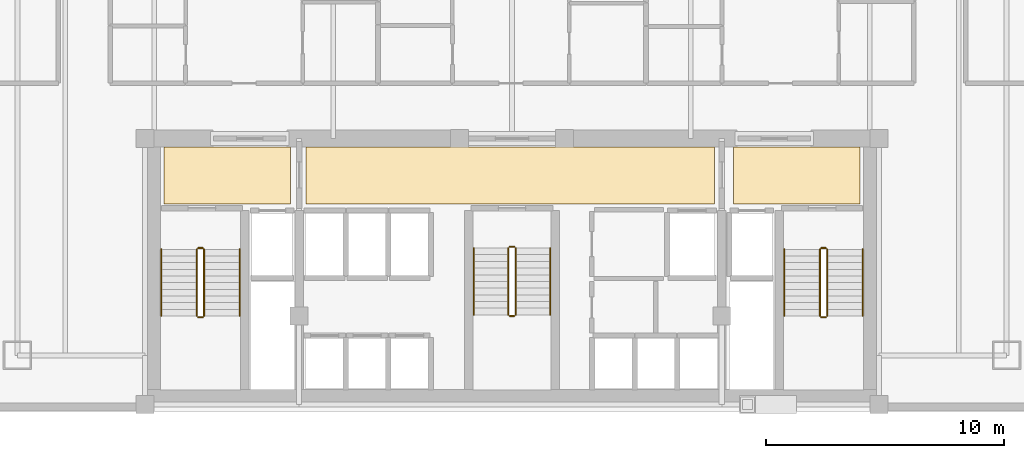
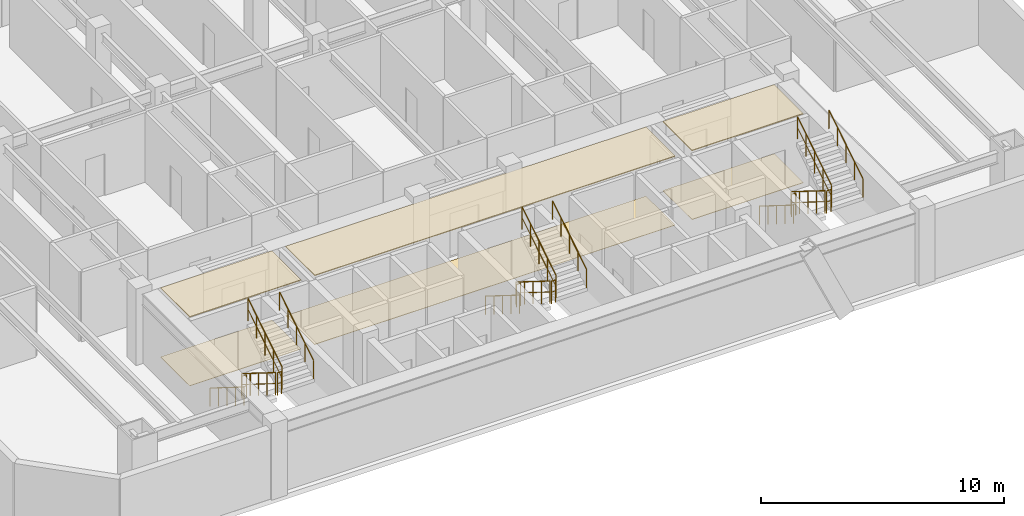
# One storey, part 8 of 8: 18 railings, 6 coverings.
"""IFC4 building model written with IfcOpenShell, lengths in metres."""

from ifc_helpers import new_model, si_unit, direction, frame, origin, origin_2d, place, context, subcontext, project, spatial, polyline, circle, outline, extrude, material, layer, layer_set, type_object, element, save


model = new_model("IFC4")

# Units and contexts
model_context = context("Model", 3, precision=1e-05, world=origin(), true_north=direction((0.0, 1.0)))
body_context = subcontext(model_context, "Body", "Model", "MODEL_VIEW")
ifc_project = project(units=[si_unit("LENGTHUNIT", "METRE"), si_unit("AREAUNIT", "SQUARE_METRE"), si_unit("VOLUMEUNIT", "CUBIC_METRE"), si_unit("PLANEANGLEUNIT", "RADIAN"), si_unit("MASSUNIT", "GRAM", prefix="KILO")], contexts=[model_context])

# Site, building, storey
site_placement = place(None, origin())
site = spatial("IfcSite", under=ifc_project, at=site_placement, CompositionType="ELEMENT")
building_placement = place(site_placement, origin())
building = spatial("IfcBuilding", under=site, at=building_placement, Name="Ventersveld Concourse Tower", CompositionType="ELEMENT")
storey_placement = place(building_placement, frame((0.0, 0.0, 131.10009765625)))
storey = spatial("IfcBuildingStorey", under=building, at=storey_placement, Name="L32", CompositionType="ELEMENT", Elevation=131.10009765625)

# Coverings
ifc_material_1 = material(Name="Mineral-fibre acoustic ceiling tile", Category="gypsum")
ifc_layer_1 = layer(ifc_material_1, 0.0400390625)
ifc_layer_set_1 = layer_set([ifc_layer_1], Name="Mineral-fibre acoustic ceiling tile")
covering_type_1 = type_object("IfcCoveringType", Name="COV-CEIL-ACOUSTIC", PredefinedType="CEILING", material=ifc_layer_set_1)
covering_1_placement = place(storey_placement, frame((0.0, 0.0, 3.4599609375)))
element("IfcCovering", 1, at=covering_1_placement, inside=storey, type_object=covering_type_1, Name="L32 North Lift Lobby Acoustic Ceiling", PredefinedType="CEILING", context=body_context, shape_type="SweptSolid", body=[
    extrude(outline(polyline([(20.10009765625, 8.699951171875), (37.25, 8.699951171875), (37.25, 11.10009765625), (20.10009765625, 11.10009765625), (20.10009765625, 8.699951171875)])), origin(), (0.0, 0.0, 1.0), 0.0400390625),
])
covering_2_placement = place(storey_placement, frame((0.0, 0.0, 3.4599609375)))
element("IfcCovering", 2, at=covering_2_placement, inside=storey, type_object=covering_type_1, Name="L32 West Firefighting Lobby Acoustic Ceiling", PredefinedType="CEILING", context=body_context, shape_type="SweptSolid", body=[
    extrude(outline(polyline([(14.14990234375, 8.699951171875), (19.449951171875, 8.699951171875), (19.449951171875, 11.10009765625), (14.14990234375, 11.10009765625), (14.14990234375, 8.699951171875)])), origin(), (0.0, 0.0, 1.0), 0.0400390625),
])
covering_3_placement = place(storey_placement, frame((0.0, 0.0, 3.4599609375)))
element("IfcCovering", 3, at=covering_3_placement, inside=storey, type_object=covering_type_1, Name="L32 East Firefighting Lobby Acoustic Ceiling", PredefinedType="CEILING", context=body_context, shape_type="SweptSolid", body=[
    extrude(outline(polyline([(38.050048828125, 8.699951171875), (43.35009765625, 8.699951171875), (43.35009765625, 11.10009765625), (38.050048828125, 11.10009765625), (38.050048828125, 8.699951171875)])), origin(), (0.0, 0.0, 1.0), 0.0400390625),
])
ifc_material_2 = material(Name="Polished Highveld granite terrazzo", Category="masonry")
ifc_layer_2 = layer(ifc_material_2, 0.02001953125)
ifc_layer_set_2 = layer_set([ifc_layer_2], Name="Polished Highveld granite terrazzo")
covering_type_2 = type_object("IfcCoveringType", Name="COV-FLOOR-TERRAZZO", PredefinedType="FLOORING", material=ifc_layer_set_2)
covering_4_placement = place(storey_placement, origin())
element("IfcCovering", 4, at=covering_4_placement, inside=storey, type_object=covering_type_2, Name="L32 North Lift Lobby Terrazzo Flooring", PredefinedType="FLOORING", context=body_context, shape_type="SweptSolid", body=[
    extrude(outline(polyline([(20.10009765625, 8.699951171875), (37.25, 8.699951171875), (37.25, 11.10009765625), (20.10009765625, 11.10009765625), (20.10009765625, 8.699951171875)])), origin(), (0.0, 0.0, 1.0), 0.02001953125),
])
covering_5_placement = place(storey_placement, origin())
element("IfcCovering", 5, at=covering_5_placement, inside=storey, type_object=covering_type_2, Name="L32 West Firefighting Lobby Terrazzo Flooring", PredefinedType="FLOORING", context=body_context, shape_type="SweptSolid", body=[
    extrude(outline(polyline([(14.14990234375, 8.699951171875), (19.449951171875, 8.699951171875), (19.449951171875, 11.10009765625), (14.14990234375, 11.10009765625), (14.14990234375, 8.699951171875)])), origin(), (0.0, 0.0, 1.0), 0.02001953125),
])
covering_6_placement = place(storey_placement, origin())
element("IfcCovering", 6, at=covering_6_placement, inside=storey, type_object=covering_type_2, Name="L32 East Firefighting Lobby Terrazzo Flooring", PredefinedType="FLOORING", context=body_context, shape_type="SweptSolid", body=[
    extrude(outline(polyline([(38.050048828125, 8.699951171875), (43.35009765625, 8.699951171875), (43.35009765625, 11.10009765625), (38.050048828125, 11.10009765625), (38.050048828125, 8.699951171875)])), origin(), (0.0, 0.0, 1.0), 0.02001953125),
])

# Railings
ifc_material_3 = material(Name="Brushed stainless steel 316", Category="steel")
railing_type_1 = type_object("IfcRailingType", Name="GD-BAL-115", PredefinedType="GUARDRAIL", material=ifc_material_3)
railing_1_placement = place(storey_placement, frame((15.530029296875, 6.800048828125, 0.1748046875)))
element("IfcRailing", 7, at=railing_1_placement, inside=storey, type_object=railing_type_1, Name="L32 ST-01 stair guard 1", PredefinedType="GUARDRAIL", context=body_context, shape_type="SweptSolid", body=[
    extrude(circle(Radius=0.02392578125, at=origin_2d()), frame((0.0, 0.0, 1.1259765625), z_axis=(0.0, -0.848002457836, 0.529992293815), x_axis=(1.0, 0.0, 0.0)), (0.0, 0.0, 1.0), 3.302001953125),
    extrude(circle(Radius=0.01611328125, at=origin_2d()), frame((0.0, 0.0, 0.574951171875), z_axis=(0.0, -0.848002457836, 0.529992293815), x_axis=(1.0, 0.0, 0.0)), (0.0, 0.0, 1.0), 3.302001953125),
    extrude(circle(Radius=0.02099609375, at=origin_2d()), origin(), (0.0, 0.0, 1.0), 1.101806640625),
    extrude(circle(Radius=0.02099609375, at=origin_2d()), frame((0.0, -0.699951171875, 0.4375)), (0.0, 0.0, 1.0), 1.101806640625),
    extrude(circle(Radius=0.02099609375, at=origin_2d()), frame((0.0, -1.39990234375, 0.875)), (0.0, 0.0, 1.0), 1.101806640625),
    extrude(circle(Radius=0.02099609375, at=origin_2d()), frame((0.0, -2.10009765625, 1.3125)), (0.0, 0.0, 1.0), 1.101806640625),
    extrude(circle(Radius=0.02099609375, at=origin_2d()), frame((0.0, -2.800048828125, 1.75)), (0.0, 0.0, 1.0), 1.101806640625),
])
railing_2_placement = place(storey_placement, frame((15.580078125, 3.949951171875, 1.9248046875)))
element("IfcRailing", 8, at=railing_2_placement, inside=storey, type_object=railing_type_1, Name="L32 ST-01 stair guard 2", PredefinedType="GUARDRAIL", context=body_context, shape_type="SweptSolid", body=[
    extrude(circle(Radius=0.02392578125, at=origin_2d()), frame((0.0, 0.0, 1.1259765625), z_axis=(1.0, 0.0, 0.0), x_axis=(0.0, 1.0, 0.0)), (0.0, 0.0, 1.0), 0.199951171875),
    extrude(circle(Radius=0.01611328125, at=origin_2d()), frame((0.0, 0.0, 0.574951171875), z_axis=(1.0, 0.0, 0.0), x_axis=(0.0, 1.0, 0.0)), (0.0, 0.0, 1.0), 0.199951171875),
    extrude(circle(Radius=0.02099609375, at=origin_2d()), origin(), (0.0, 0.0, 1.0), 1.101806640625),
    extrude(circle(Radius=0.02099609375, at=origin_2d()), frame((0.199951171875, 0.0, 0.0)), (0.0, 0.0, 1.0), 1.101806640625),
])
railing_3_placement = place(storey_placement, frame((15.830078125, 4.0, 2.099853515625)))
element("IfcRailing", 9, at=railing_3_placement, inside=storey, type_object=railing_type_1, Name="L32 ST-01 stair guard 3", PredefinedType="GUARDRAIL", context=body_context, shape_type="SweptSolid", body=[
    extrude(circle(Radius=0.02392578125, at=origin_2d()), frame((0.0, 0.0, 1.1259765625), z_axis=(0.0, 0.848002457836, 0.529992293815), x_axis=(-1.0, 0.0, 0.0)), (0.0, 0.0, 1.0), 3.302001953125),
    extrude(circle(Radius=0.01611328125, at=origin_2d()), frame((0.0, 0.0, 0.574951171875), z_axis=(0.0, 0.848002457836, 0.529992293815), x_axis=(-1.0, 0.0, 0.0)), (0.0, 0.0, 1.0), 3.302001953125),
    extrude(circle(Radius=0.02099609375, at=origin_2d()), origin(), (0.0, 0.0, 1.0), 1.101806640625),
    extrude(circle(Radius=0.02099609375, at=origin_2d()), frame((0.0, 0.699951171875, 0.4375)), (0.0, 0.0, 1.0), 1.101806640625),
    extrude(circle(Radius=0.02099609375, at=origin_2d()), frame((0.0, 1.39990234375, 0.875)), (0.0, 0.0, 1.0), 1.101806640625),
    extrude(circle(Radius=0.02099609375, at=origin_2d()), frame((0.0, 2.10009765625, 1.3125)), (0.0, 0.0, 1.0), 1.101806640625),
    extrude(circle(Radius=0.02099609375, at=origin_2d()), frame((0.0, 2.800048828125, 1.75)), (0.0, 0.0, 1.0), 1.101806640625),
])
railing_4_placement = place(storey_placement, frame((15.580078125, 6.85009765625, 0.0)))
element("IfcRailing", 10, at=railing_4_placement, inside=storey, type_object=railing_type_1, Name="L32 ST-01 stair guard 4", PredefinedType="GUARDRAIL", context=body_context, shape_type="SweptSolid", body=[
    extrude(circle(Radius=0.02392578125, at=origin_2d()), frame((0.0, 0.0, 1.1259765625), z_axis=(1.0, 0.0, 0.0), x_axis=(0.0, 1.0, 0.0)), (0.0, 0.0, 1.0), 0.199951171875),
    extrude(circle(Radius=0.01611328125, at=origin_2d()), frame((0.0, 0.0, 0.574951171875), z_axis=(1.0, 0.0, 0.0), x_axis=(0.0, 1.0, 0.0)), (0.0, 0.0, 1.0), 0.199951171875),
    extrude(circle(Radius=0.02099609375, at=origin_2d()), origin(), (0.0, 0.0, 1.0), 1.101806640625),
    extrude(circle(Radius=0.02099609375, at=origin_2d()), frame((0.199951171875, 0.0, 0.0)), (0.0, 0.0, 1.0), 1.101806640625),
])
railing_5_placement = place(storey_placement, frame((41.669921875, 6.800048828125, 0.1748046875)))
element("IfcRailing", 11, at=railing_5_placement, inside=storey, type_object=railing_type_1, Name="L32 ST-02 stair guard 1", PredefinedType="GUARDRAIL", context=body_context, shape_type="SweptSolid", body=[
    extrude(circle(Radius=0.02392578125, at=origin_2d()), frame((0.0, 0.0, 1.1259765625), z_axis=(0.0, -0.848002457836, 0.529992293815), x_axis=(1.0, 0.0, 0.0)), (0.0, 0.0, 1.0), 3.302001953125),
    extrude(circle(Radius=0.01611328125, at=origin_2d()), frame((0.0, 0.0, 0.574951171875), z_axis=(0.0, -0.848002457836, 0.529992293815), x_axis=(1.0, 0.0, 0.0)), (0.0, 0.0, 1.0), 3.302001953125),
    extrude(circle(Radius=0.02099609375, at=origin_2d()), origin(), (0.0, 0.0, 1.0), 1.101806640625),
    extrude(circle(Radius=0.02099609375, at=origin_2d()), frame((0.0, -0.699951171875, 0.4375)), (0.0, 0.0, 1.0), 1.101806640625),
    extrude(circle(Radius=0.02099609375, at=origin_2d()), frame((0.0, -1.39990234375, 0.875)), (0.0, 0.0, 1.0), 1.101806640625),
    extrude(circle(Radius=0.02099609375, at=origin_2d()), frame((0.0, -2.10009765625, 1.3125)), (0.0, 0.0, 1.0), 1.101806640625),
    extrude(circle(Radius=0.02099609375, at=origin_2d()), frame((0.0, -2.800048828125, 1.75)), (0.0, 0.0, 1.0), 1.101806640625),
])
railing_6_placement = place(storey_placement, frame((41.719970703125, 3.949951171875, 1.9248046875)))
element("IfcRailing", 12, at=railing_6_placement, inside=storey, type_object=railing_type_1, Name="L32 ST-02 stair guard 2", PredefinedType="GUARDRAIL", context=body_context, shape_type="SweptSolid", body=[
    extrude(circle(Radius=0.02392578125, at=origin_2d()), frame((0.0, 0.0, 1.1259765625), z_axis=(1.0, 0.0, 0.0), x_axis=(0.0, 1.0, 0.0)), (0.0, 0.0, 1.0), 0.199951171875),
    extrude(circle(Radius=0.01611328125, at=origin_2d()), frame((0.0, 0.0, 0.574951171875), z_axis=(1.0, 0.0, 0.0), x_axis=(0.0, 1.0, 0.0)), (0.0, 0.0, 1.0), 0.199951171875),
    extrude(circle(Radius=0.02099609375, at=origin_2d()), origin(), (0.0, 0.0, 1.0), 1.101806640625),
    extrude(circle(Radius=0.02099609375, at=origin_2d()), frame((0.199951171875, 0.0, 0.0)), (0.0, 0.0, 1.0), 1.101806640625),
])
railing_7_placement = place(storey_placement, frame((41.969970703125, 4.0, 2.099853515625)))
element("IfcRailing", 13, at=railing_7_placement, inside=storey, type_object=railing_type_1, Name="L32 ST-02 stair guard 3", PredefinedType="GUARDRAIL", context=body_context, shape_type="SweptSolid", body=[
    extrude(circle(Radius=0.02392578125, at=origin_2d()), frame((0.0, 0.0, 1.1259765625), z_axis=(0.0, 0.848002457836, 0.529992293815), x_axis=(-1.0, 0.0, 0.0)), (0.0, 0.0, 1.0), 3.302001953125),
    extrude(circle(Radius=0.01611328125, at=origin_2d()), frame((0.0, 0.0, 0.574951171875), z_axis=(0.0, 0.848002457836, 0.529992293815), x_axis=(-1.0, 0.0, 0.0)), (0.0, 0.0, 1.0), 3.302001953125),
    extrude(circle(Radius=0.02099609375, at=origin_2d()), origin(), (0.0, 0.0, 1.0), 1.101806640625),
    extrude(circle(Radius=0.02099609375, at=origin_2d()), frame((0.0, 0.699951171875, 0.4375)), (0.0, 0.0, 1.0), 1.101806640625),
    extrude(circle(Radius=0.02099609375, at=origin_2d()), frame((0.0, 1.39990234375, 0.875)), (0.0, 0.0, 1.0), 1.101806640625),
    extrude(circle(Radius=0.02099609375, at=origin_2d()), frame((0.0, 2.10009765625, 1.3125)), (0.0, 0.0, 1.0), 1.101806640625),
    extrude(circle(Radius=0.02099609375, at=origin_2d()), frame((0.0, 2.800048828125, 1.75)), (0.0, 0.0, 1.0), 1.101806640625),
])
railing_8_placement = place(storey_placement, frame((41.719970703125, 6.85009765625, 0.0)))
element("IfcRailing", 14, at=railing_8_placement, inside=storey, type_object=railing_type_1, Name="L32 ST-02 stair guard 4", PredefinedType="GUARDRAIL", context=body_context, shape_type="SweptSolid", body=[
    extrude(circle(Radius=0.02392578125, at=origin_2d()), frame((0.0, 0.0, 1.1259765625), z_axis=(1.0, 0.0, 0.0), x_axis=(0.0, 1.0, 0.0)), (0.0, 0.0, 1.0), 0.199951171875),
    extrude(circle(Radius=0.01611328125, at=origin_2d()), frame((0.0, 0.0, 0.574951171875), z_axis=(1.0, 0.0, 0.0), x_axis=(0.0, 1.0, 0.0)), (0.0, 0.0, 1.0), 0.199951171875),
    extrude(circle(Radius=0.02099609375, at=origin_2d()), origin(), (0.0, 0.0, 1.0), 1.101806640625),
    extrude(circle(Radius=0.02099609375, at=origin_2d()), frame((0.199951171875, 0.0, 0.0)), (0.0, 0.0, 1.0), 1.101806640625),
])
railing_9_placement = place(storey_placement, frame((28.60009765625, 6.85009765625, 0.1748046875)))
element("IfcRailing", 15, at=railing_9_placement, inside=storey, type_object=railing_type_1, Name="L32 ST-03 stair guard 1", PredefinedType="GUARDRAIL", context=body_context, shape_type="SweptSolid", body=[
    extrude(circle(Radius=0.02392578125, at=origin_2d()), frame((0.0, 0.0, 1.1259765625), z_axis=(0.0, -0.848002457836, 0.529992293815), x_axis=(1.0, 0.0, 0.0)), (0.0, 0.0, 1.0), 3.302001953125),
    extrude(circle(Radius=0.01611328125, at=origin_2d()), frame((0.0, 0.0, 0.574951171875), z_axis=(0.0, -0.848002457836, 0.529992293815), x_axis=(1.0, 0.0, 0.0)), (0.0, 0.0, 1.0), 3.302001953125),
    extrude(circle(Radius=0.02099609375, at=origin_2d()), origin(), (0.0, 0.0, 1.0), 1.101806640625),
    extrude(circle(Radius=0.02099609375, at=origin_2d()), frame((0.0, -0.699951171875, 0.4375)), (0.0, 0.0, 1.0), 1.101806640625),
    extrude(circle(Radius=0.02099609375, at=origin_2d()), frame((0.0, -1.39990234375, 0.875)), (0.0, 0.0, 1.0), 1.101806640625),
    extrude(circle(Radius=0.02099609375, at=origin_2d()), frame((0.0, -2.10009765625, 1.3125)), (0.0, 0.0, 1.0), 1.101806640625),
    extrude(circle(Radius=0.02099609375, at=origin_2d()), frame((0.0, -2.800048828125, 1.75)), (0.0, 0.0, 1.0), 1.101806640625),
])
railing_10_placement = place(storey_placement, frame((28.64990234375, 4.0, 1.9248046875)))
element("IfcRailing", 16, at=railing_10_placement, inside=storey, type_object=railing_type_1, Name="L32 ST-03 stair guard 2", PredefinedType="GUARDRAIL", context=body_context, shape_type="SweptSolid", body=[
    extrude(circle(Radius=0.02392578125, at=origin_2d()), frame((0.0, 0.0, 1.1259765625), z_axis=(1.0, 0.0, 0.0), x_axis=(0.0, 1.0, 0.0)), (0.0, 0.0, 1.0), 0.2001953125),
    extrude(circle(Radius=0.01611328125, at=origin_2d()), frame((0.0, 0.0, 0.574951171875), z_axis=(1.0, 0.0, 0.0), x_axis=(0.0, 1.0, 0.0)), (0.0, 0.0, 1.0), 0.2001953125),
    extrude(circle(Radius=0.02099609375, at=origin_2d()), origin(), (0.0, 0.0, 1.0), 1.101806640625),
    extrude(circle(Radius=0.02099609375, at=origin_2d()), frame((0.2001953125, 0.0, 0.0)), (0.0, 0.0, 1.0), 1.101806640625),
])
railing_11_placement = place(storey_placement, frame((28.89990234375, 4.050048828125, 2.099853515625)))
element("IfcRailing", 17, at=railing_11_placement, inside=storey, type_object=railing_type_1, Name="L32 ST-03 stair guard 3", PredefinedType="GUARDRAIL", context=body_context, shape_type="SweptSolid", body=[
    extrude(circle(Radius=0.02392578125, at=origin_2d()), frame((0.0, 0.0, 1.1259765625), z_axis=(0.0, 0.848002457836, 0.529992293815), x_axis=(-1.0, 0.0, 0.0)), (0.0, 0.0, 1.0), 3.302001953125),
    extrude(circle(Radius=0.01611328125, at=origin_2d()), frame((0.0, 0.0, 0.574951171875), z_axis=(0.0, 0.848002457836, 0.529992293815), x_axis=(-1.0, 0.0, 0.0)), (0.0, 0.0, 1.0), 3.302001953125),
    extrude(circle(Radius=0.02099609375, at=origin_2d()), origin(), (0.0, 0.0, 1.0), 1.101806640625),
    extrude(circle(Radius=0.02099609375, at=origin_2d()), frame((0.0, 0.699951171875, 0.4375)), (0.0, 0.0, 1.0), 1.101806640625),
    extrude(circle(Radius=0.02099609375, at=origin_2d()), frame((0.0, 1.39990234375, 0.875)), (0.0, 0.0, 1.0), 1.101806640625),
    extrude(circle(Radius=0.02099609375, at=origin_2d()), frame((0.0, 2.10009765625, 1.3125)), (0.0, 0.0, 1.0), 1.101806640625),
    extrude(circle(Radius=0.02099609375, at=origin_2d()), frame((0.0, 2.800048828125, 1.75)), (0.0, 0.0, 1.0), 1.101806640625),
])
railing_12_placement = place(storey_placement, frame((28.64990234375, 6.89990234375, 0.0)))
element("IfcRailing", 18, at=railing_12_placement, inside=storey, type_object=railing_type_1, Name="L32 ST-03 stair guard 4", PredefinedType="GUARDRAIL", context=body_context, shape_type="SweptSolid", body=[
    extrude(circle(Radius=0.02392578125, at=origin_2d()), frame((0.0, 0.0, 1.1259765625), z_axis=(1.0, 0.0, 0.0), x_axis=(0.0, 1.0, 0.0)), (0.0, 0.0, 1.0), 0.2001953125),
    extrude(circle(Radius=0.01611328125, at=origin_2d()), frame((0.0, 0.0, 0.574951171875), z_axis=(1.0, 0.0, 0.0), x_axis=(0.0, 1.0, 0.0)), (0.0, 0.0, 1.0), 0.2001953125),
    extrude(circle(Radius=0.02099609375, at=origin_2d()), origin(), (0.0, 0.0, 1.0), 1.101806640625),
    extrude(circle(Radius=0.02099609375, at=origin_2d()), frame((0.2001953125, 0.0, 0.0)), (0.0, 0.0, 1.0), 1.101806640625),
])
railing_type_2 = type_object("IfcRailingType", Name="HR-RMP-095", PredefinedType="HANDRAIL", material=ifc_material_3)
railing_13_placement = place(storey_placement, frame((14.030029296875, 6.800048828125, 0.1748046875)))
element("IfcRailing", 19, at=railing_13_placement, inside=storey, type_object=railing_type_2, Name="L32 ST-01 stair handrail 1", PredefinedType="HANDRAIL", context=body_context, shape_type="SweptSolid", body=[
    extrude(circle(Radius=0.02392578125, at=origin_2d()), frame((0.0, 0.0, 0.92578125), z_axis=(0.0, -0.848002457836, 0.529992293815), x_axis=(1.0, 0.0, 0.0)), (0.0, 0.0, 1.0), 3.302001953125),
    extrude(circle(Radius=0.02099609375, at=origin_2d()), origin(), (0.0, 0.0, 1.0), 0.90185546875),
    extrude(circle(Radius=0.02099609375, at=origin_2d()), frame((0.0, -0.699951171875, 0.4375)), (0.0, 0.0, 1.0), 0.90185546875),
    extrude(circle(Radius=0.02099609375, at=origin_2d()), frame((0.0, -1.39990234375, 0.875)), (0.0, 0.0, 1.0), 0.90185546875),
    extrude(circle(Radius=0.02099609375, at=origin_2d()), frame((0.0, -2.10009765625, 1.3125)), (0.0, 0.0, 1.0), 0.90185546875),
    extrude(circle(Radius=0.02099609375, at=origin_2d()), frame((0.0, -2.800048828125, 1.75)), (0.0, 0.0, 1.0), 0.90185546875),
])
railing_14_placement = place(storey_placement, frame((17.330078125, 4.0, 2.099853515625)))
element("IfcRailing", 20, at=railing_14_placement, inside=storey, type_object=railing_type_2, Name="L32 ST-01 stair handrail 2", PredefinedType="HANDRAIL", context=body_context, shape_type="SweptSolid", body=[
    extrude(circle(Radius=0.02392578125, at=origin_2d()), frame((0.0, 0.0, 0.92578125), z_axis=(0.0, 0.848002457836, 0.529992293815), x_axis=(-1.0, 0.0, 0.0)), (0.0, 0.0, 1.0), 3.302001953125),
    extrude(circle(Radius=0.02099609375, at=origin_2d()), origin(), (0.0, 0.0, 1.0), 0.90185546875),
    extrude(circle(Radius=0.02099609375, at=origin_2d()), frame((0.0, 0.699951171875, 0.4375)), (0.0, 0.0, 1.0), 0.90185546875),
    extrude(circle(Radius=0.02099609375, at=origin_2d()), frame((0.0, 1.39990234375, 0.875)), (0.0, 0.0, 1.0), 0.90185546875),
    extrude(circle(Radius=0.02099609375, at=origin_2d()), frame((0.0, 2.10009765625, 1.3125)), (0.0, 0.0, 1.0), 0.90185546875),
    extrude(circle(Radius=0.02099609375, at=origin_2d()), frame((0.0, 2.800048828125, 1.75)), (0.0, 0.0, 1.0), 0.90185546875),
])
railing_15_placement = place(storey_placement, frame((40.169921875, 6.800048828125, 0.1748046875)))
element("IfcRailing", 21, at=railing_15_placement, inside=storey, type_object=railing_type_2, Name="L32 ST-02 stair handrail 1", PredefinedType="HANDRAIL", context=body_context, shape_type="SweptSolid", body=[
    extrude(circle(Radius=0.02392578125, at=origin_2d()), frame((0.0, 0.0, 0.92578125), z_axis=(0.0, -0.848002457836, 0.529992293815), x_axis=(1.0, 0.0, 0.0)), (0.0, 0.0, 1.0), 3.302001953125),
    extrude(circle(Radius=0.02099609375, at=origin_2d()), origin(), (0.0, 0.0, 1.0), 0.90185546875),
    extrude(circle(Radius=0.02099609375, at=origin_2d()), frame((0.0, -0.699951171875, 0.4375)), (0.0, 0.0, 1.0), 0.90185546875),
    extrude(circle(Radius=0.02099609375, at=origin_2d()), frame((0.0, -1.39990234375, 0.875)), (0.0, 0.0, 1.0), 0.90185546875),
    extrude(circle(Radius=0.02099609375, at=origin_2d()), frame((0.0, -2.10009765625, 1.3125)), (0.0, 0.0, 1.0), 0.90185546875),
    extrude(circle(Radius=0.02099609375, at=origin_2d()), frame((0.0, -2.800048828125, 1.75)), (0.0, 0.0, 1.0), 0.90185546875),
])
railing_16_placement = place(storey_placement, frame((43.469970703125, 4.0, 2.099853515625)))
element("IfcRailing", 22, at=railing_16_placement, inside=storey, type_object=railing_type_2, Name="L32 ST-02 stair handrail 2", PredefinedType="HANDRAIL", context=body_context, shape_type="SweptSolid", body=[
    extrude(circle(Radius=0.02392578125, at=origin_2d()), frame((0.0, 0.0, 0.92578125), z_axis=(0.0, 0.848002457836, 0.529992293815), x_axis=(-1.0, 0.0, 0.0)), (0.0, 0.0, 1.0), 3.302001953125),
    extrude(circle(Radius=0.02099609375, at=origin_2d()), origin(), (0.0, 0.0, 1.0), 0.90185546875),
    extrude(circle(Radius=0.02099609375, at=origin_2d()), frame((0.0, 0.699951171875, 0.4375)), (0.0, 0.0, 1.0), 0.90185546875),
    extrude(circle(Radius=0.02099609375, at=origin_2d()), frame((0.0, 1.39990234375, 0.875)), (0.0, 0.0, 1.0), 0.90185546875),
    extrude(circle(Radius=0.02099609375, at=origin_2d()), frame((0.0, 2.10009765625, 1.3125)), (0.0, 0.0, 1.0), 0.90185546875),
    extrude(circle(Radius=0.02099609375, at=origin_2d()), frame((0.0, 2.800048828125, 1.75)), (0.0, 0.0, 1.0), 0.90185546875),
])
railing_17_placement = place(storey_placement, frame((27.14990234375, 6.85009765625, 0.1748046875)))
element("IfcRailing", 23, at=railing_17_placement, inside=storey, type_object=railing_type_2, Name="L32 ST-03 stair handrail 1", PredefinedType="HANDRAIL", context=body_context, shape_type="SweptSolid", body=[
    extrude(circle(Radius=0.02392578125, at=origin_2d()), frame((0.0, 0.0, 0.92578125), z_axis=(0.0, -0.848002457836, 0.529992293815), x_axis=(1.0, 0.0, 0.0)), (0.0, 0.0, 1.0), 3.302001953125),
    extrude(circle(Radius=0.02099609375, at=origin_2d()), origin(), (0.0, 0.0, 1.0), 0.90185546875),
    extrude(circle(Radius=0.02099609375, at=origin_2d()), frame((0.0, -0.699951171875, 0.4375)), (0.0, 0.0, 1.0), 0.90185546875),
    extrude(circle(Radius=0.02099609375, at=origin_2d()), frame((0.0, -1.39990234375, 0.875)), (0.0, 0.0, 1.0), 0.90185546875),
    extrude(circle(Radius=0.02099609375, at=origin_2d()), frame((0.0, -2.10009765625, 1.3125)), (0.0, 0.0, 1.0), 0.90185546875),
    extrude(circle(Radius=0.02099609375, at=origin_2d()), frame((0.0, -2.800048828125, 1.75)), (0.0, 0.0, 1.0), 0.90185546875),
])
railing_18_placement = place(storey_placement, frame((30.35009765625, 4.050048828125, 2.099853515625)))
element("IfcRailing", 24, at=railing_18_placement, inside=storey, type_object=railing_type_2, Name="L32 ST-03 stair handrail 2", PredefinedType="HANDRAIL", context=body_context, shape_type="SweptSolid", body=[
    extrude(circle(Radius=0.02392578125, at=origin_2d()), frame((0.0, 0.0, 0.92578125), z_axis=(0.0, 0.848002457836, 0.529992293815), x_axis=(-1.0, 0.0, 0.0)), (0.0, 0.0, 1.0), 3.302001953125),
    extrude(circle(Radius=0.02099609375, at=origin_2d()), origin(), (0.0, 0.0, 1.0), 0.90185546875),
    extrude(circle(Radius=0.02099609375, at=origin_2d()), frame((0.0, 0.699951171875, 0.4375)), (0.0, 0.0, 1.0), 0.90185546875),
    extrude(circle(Radius=0.02099609375, at=origin_2d()), frame((0.0, 1.39990234375, 0.875)), (0.0, 0.0, 1.0), 0.90185546875),
    extrude(circle(Radius=0.02099609375, at=origin_2d()), frame((0.0, 2.10009765625, 1.3125)), (0.0, 0.0, 1.0), 0.90185546875),
    extrude(circle(Radius=0.02099609375, at=origin_2d()), frame((0.0, 2.800048828125, 1.75)), (0.0, 0.0, 1.0), 0.90185546875),
])

save(model, "model.ifc")
